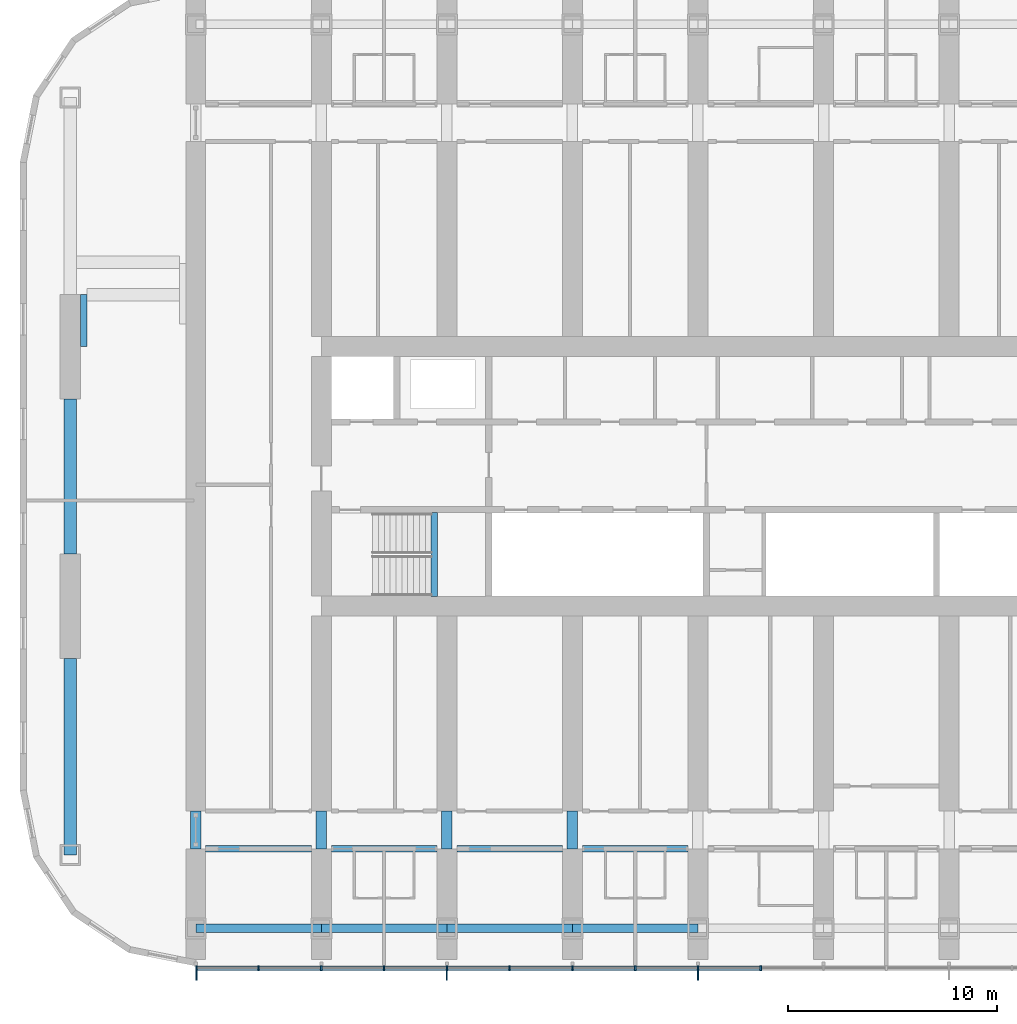
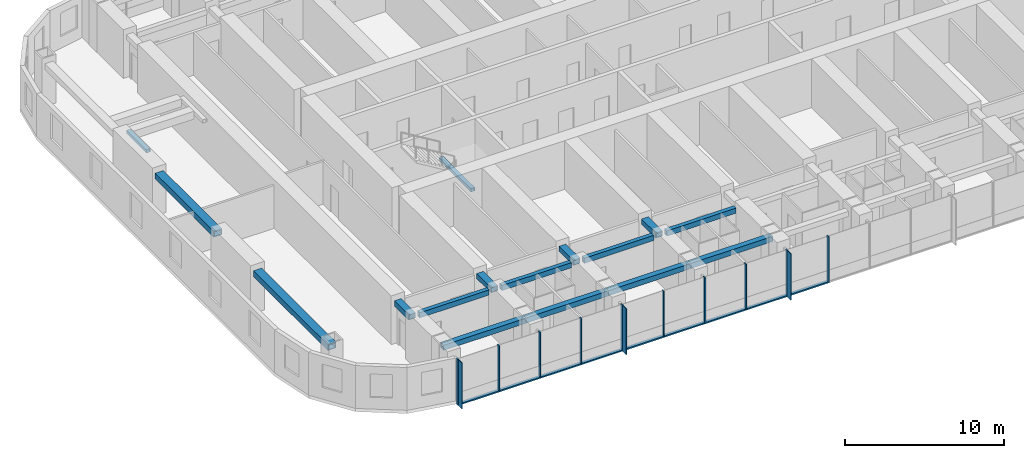
# One storey, part 2 of 21: 22 members, 16 beams, 1 element without a shape of its own.
"""IFC4 building model written with IfcOpenShell, lengths in metres."""

import ifcopenshell
import ifcopenshell.guid

model = None  # the IFC model being written
_history = None  # IfcOwnerHistory: only IFC2X3 demands one
_inside = {}  # id of a spatial element -> (the spatial element, [elements in it])
_under = {}  # id of a project, library or spatial element -> (it, [spatial elements below it])
_declared = {}  # id of a project -> (the project, [libraries it declares])
_typed = {}  # id of a type object -> (the type object, [elements of that type])
_made_of = {}  # id of a material, layer set ... -> (it, [elements and type objects made of it])


def new_model(schema):
    """Start an empty IFC model of exactly this schema.

    Asked for "IFC4X3", IfcOpenShell would pick the latest addendum, in which some entities
    have other attributes; the version numbers below select the first issue.
    IFC2X3 requires an IfcOwnerHistory on every rooted entity: one is made here for all.
    """
    global model, _history
    if schema == "IFC4X3":
        model = ifcopenshell.file(schema_version=(4, 3, 0, 0))
    else:
        model = ifcopenshell.file(schema=schema)
    _inside.clear()
    _under.clear()
    _declared.clear()
    _typed.clear()
    _made_of.clear()
    _history = None
    if model.schema == "IFC2X3":
        org = make("IfcOrganization", Name="unknown")
        user = make(
            "IfcPersonAndOrganization",
            ThePerson=make("IfcPerson", FamilyName="unknown"),
            TheOrganization=org,
        )
        app = make(
            "IfcApplication",
            ApplicationDeveloper=org,
            Version="unknown",
            ApplicationFullName="unknown",
            ApplicationIdentifier="unknown",
        )
        _history = make(
            "IfcOwnerHistory",
            OwningUser=user,
            OwningApplication=app,
            ChangeAction="ADDED",
            CreationDate=0,
        )
    return model


def make(cls, **values):
    """One entity of the class cls with the attributes given. An attribute that is None is left unset."""
    return model.create_entity(
        cls, **{name: value for name, value in values.items() if value is not None}
    )


def rooted(cls, **values):
    """An entity with a GlobalId (a new one), such as an element, a storey or a relation."""
    return make(cls, GlobalId=ifcopenshell.guid.new(), OwnerHistory=_history, **values)


def si_unit(unit_type, name, prefix=None):
    """IfcSIUnit, for example si_unit("LENGTHUNIT", "METRE", prefix="MILLI")."""
    return make("IfcSIUnit", UnitType=unit_type, Prefix=prefix, Name=name)


def assignment(units):
    """IfcUnitAssignment: the units of a project."""
    return None if units is None else make("IfcUnitAssignment", Units=units)


def point(xyz):
    """IfcCartesianPoint."""
    return None if xyz is None else make("IfcCartesianPoint", Coordinates=xyz)


def direction(xyz):
    """IfcDirection."""
    return None if xyz is None else make("IfcDirection", DirectionRatios=xyz)


def frame(location, z_axis=None, x_axis=None):
    """IfcAxis2Placement3D, a coordinate frame: its origin and axes. An axis left out is left unset."""
    return make(
        "IfcAxis2Placement3D",
        Location=point(location),
        Axis=direction(z_axis),
        RefDirection=direction(x_axis),
    )


def frame_2d(location, x_axis=None):
    """IfcAxis2Placement2D, a coordinate frame in the plane: its origin and x axis."""
    return make(
        "IfcAxis2Placement2D", Location=point(location), RefDirection=direction(x_axis)
    )


def origin():
    """The frame at (0, 0, 0) with its axes left unset."""
    return frame((0.0, 0.0, 0.0))


def origin_2d():
    """The frame at (0, 0) in the plane with its x axis left unset."""
    return frame_2d((0.0, 0.0))


def place(relative_to, where):
    """IfcLocalPlacement: puts the frame where relative to a parent placement (None: the world)."""
    return make(
        "IfcLocalPlacement", PlacementRelTo=relative_to, RelativePlacement=where
    )


def context(
    kind, dimensions, precision=None, world=None, true_north=None, identifier=None
):
    """IfcGeometricRepresentationContext, for example the 3D "Model" context."""
    return make(
        "IfcGeometricRepresentationContext",
        ContextIdentifier=identifier,
        ContextType=kind,
        CoordinateSpaceDimension=dimensions,
        Precision=precision,
        WorldCoordinateSystem=world,
        TrueNorth=true_north,
    )


def subcontext(parent, identifier, kind, view, scale=None):
    """IfcGeometricRepresentationSubContext, for example "Body" below "Model"."""
    return make(
        "IfcGeometricRepresentationSubContext",
        ContextIdentifier=identifier,
        ContextType=kind,
        ParentContext=parent,
        TargetScale=scale,
        TargetView=view,
    )


def project(units=None, contexts=None):
    """IfcProject with its units and contexts."""
    return rooted(
        "IfcProject",
        Name="project",
        RepresentationContexts=contexts,
        UnitsInContext=assignment(units),
    )


def spatial(cls, under=None, at=None, **own):
    """A site, building, storey or space (cls), placed at a placement, below another one or the project."""
    s = rooted(cls, ObjectPlacement=at, **own)
    if under is not None:
        _under.setdefault(under.id(), (under, []))[1].append(s)
    return s


def profile(cls, at=None, kind="AREA", **sizes):
    """A parametric profile (cls). Its sizes go by their IFC names, for example OverallWidth=200.0."""
    return make(cls, ProfileType=kind, Position=at, **sizes)


def rectangle(**sizes):
    """IfcRectangleProfileDef."""
    return profile("IfcRectangleProfileDef", **sizes)


def hollow_rectangle(**sizes):
    """IfcRectangleHollowProfileDef."""
    return profile("IfcRectangleHollowProfileDef", **sizes)


def extrude(swept, where, along, depth):
    """IfcExtrudedAreaSolid: the profile swept, set in the frame where, extruded along a direction by depth."""
    return make(
        "IfcExtrudedAreaSolid",
        SweptArea=swept,
        Position=where,
        ExtrudedDirection=direction(along),
        Depth=depth,
    )


def shape(context_of_items, identifier, shape_type, items):
    """IfcShapeRepresentation: the items that make up one representation, for example the "Body"."""
    return make(
        "IfcShapeRepresentation",
        ContextOfItems=context_of_items,
        RepresentationIdentifier=identifier,
        RepresentationType=shape_type,
        Items=items,
    )


def material(Name=None, Category=None):
    """IfcMaterial."""
    return make("IfcMaterial", Name=Name, Category=Category)


def material_profile(
    of_material, cross_section, Name=None, Category=None, Priority=None
):
    """IfcMaterialProfile: a cross section and its material."""
    return make(
        "IfcMaterialProfile",
        Name=Name,
        Material=of_material,
        Profile=cross_section,
        Priority=Priority,
        Category=Category,
    )


def profile_set(profiles, Name=None, composite=None):
    """IfcMaterialProfileSet."""
    return make(
        "IfcMaterialProfileSet",
        Name=Name,
        MaterialProfiles=profiles,
        CompositeProfile=composite,
    )


def made_of(thing, what):
    """Note that an element or type object is made of a material, layer set ...; save() writes the relation."""
    if what is not None:
        _made_of.setdefault(what.id(), (what, []))[1].append(thing)
    return thing


def type_object(cls, material=None, **own):
    """A type object (cls), such as IfcWallType, which elements share."""
    return made_of(rooted(cls, **own), material)


def element(
    cls,
    number,
    at=None,
    inside=None,
    cuts=None,
    type_object=None,
    material=None,
    context=None,
    identifier="Body",
    shape_type=None,
    held_by="IfcProductDefinitionShape",
    body=None,
    shapes=None,
    **own,
):
    """One element of the class cls, such as IfcWall. Its Tag is "e" and its number.

    at: its placement. inside: the storey or other place that contains it. cuts: it is an
    opening in that element (IfcRelVoidsElement). A single representation is given by context,
    identifier, shape_type and body (its items); several are given by shapes. held_by: the class
    of the entity that holds the representations. save() writes the other relations.
    """
    e = rooted(cls, Tag="e%d" % number, ObjectPlacement=at, **own)
    if body is not None:
        shapes = [shape(context, identifier, shape_type, body)]
    if shapes is not None:
        e.Representation = make(held_by, Representations=shapes)
    if inside is not None:
        _inside.setdefault(inside.id(), (inside, []))[1].append(e)
    if cuts is not None:
        rooted(
            "IfcRelVoidsElement", RelatingBuildingElement=cuts, RelatedOpeningElement=e
        )
    if type_object is not None:
        _typed.setdefault(type_object.id(), (type_object, []))[1].append(e)
    return made_of(e, material)


def aggregate(whole, parts):
    """IfcRelAggregates: a whole, such as a stair, and the parts it consists of."""
    return rooted("IfcRelAggregates", RelatingObject=whole, RelatedObjects=parts)


def save(model, path):
    """Write the relations noted so far, then the file.

    IfcRelAggregates (storeys below a building ...), IfcRelContainedInSpatialStructure (elements
    in a storey), IfcRelDefinesByType, IfcRelAssociatesMaterial and IfcRelDeclares: one each for
    every whole, place, type object, material and project.
    """
    for whole, parts in _under.values():
        aggregate(whole, parts)
    for where, things in _inside.values():
        rooted(
            "IfcRelContainedInSpatialStructure",
            RelatedElements=things,
            RelatingStructure=where,
        )
    for kind, things in _typed.values():
        rooted("IfcRelDefinesByType", RelatedObjects=things, RelatingType=kind)
    for what, things in _made_of.values():
        rooted("IfcRelAssociatesMaterial", RelatedObjects=things, RelatingMaterial=what)
    for by, libraries in _declared.values():
        rooted("IfcRelDeclares", RelatingContext=by, RelatedDefinitions=libraries)
    model.write(path)


model = new_model("IFC4")

# Units and contexts
model_context = context("Model", 3, precision=1e-05, world=origin(), true_north=direction((0.0, 1.0)))
body_context = subcontext(model_context, "Body", "Model", "MODEL_VIEW")
ifc_project = project(units=[si_unit("LENGTHUNIT", "METRE"), si_unit("AREAUNIT", "SQUARE_METRE"), si_unit("VOLUMEUNIT", "CUBIC_METRE"), si_unit("PLANEANGLEUNIT", "RADIAN"), si_unit("MASSUNIT", "GRAM", prefix="KILO")], contexts=[model_context])

# Site, building, storey
site_placement = place(None, origin())
site = spatial("IfcSite", under=ifc_project, at=site_placement, CompositionType="ELEMENT")
building_placement = place(site_placement, origin())
building = spatial("IfcBuilding", under=site, at=building_placement, Name="Orbita Commons", CompositionType="ELEMENT")
storey_placement = place(building_placement, frame((0.0, 0.0, 95.64990234375)))
storey = spatial("IfcBuildingStorey", under=building, at=storey_placement, Name="L23", CompositionType="ELEMENT", Elevation=95.64990234375)

# Curtain wall, members
ifc_material_1 = material(Name="Anodised aluminium frame, pale silver", Category="aluminium")
curtain_wall_type = type_object("IfcCurtainWallType", Name="Unitised curtain wall CW-T, vision and spandrel", PredefinedType="NOTDEFINED", material=ifc_material_1)
curtain_wall_placement = place(storey_placement, origin())
curtain_wall = element("IfcCurtainWall", 1, at=curtain_wall_placement, inside=storey, type_object=curtain_wall_type, Name="Curtain wall south L23", PredefinedType="NOTDEFINED")
ifc_material_2 = material(Name="Anodised aluminium, pale silver", Category="aluminium")
ifc_material_profile_1 = material_profile(ifc_material_2, rectangle(XDim=0.080078125, YDim=0.219970703125, at=origin_2d()), Name="AL 80x220")
ifc_profile_set_1 = profile_set([ifc_material_profile_1], Name="Anodised aluminium, pale silver")
member_type_1 = type_object("IfcMemberType", Name="Curtain wall mullion 80x220", PredefinedType="MULLION", material=ifc_profile_set_1)
member_1_placement = place(storey_placement, frame((12.0400390625, 8.489990234375, -0.25), z_axis=(0.0, 0.0, 1.0), x_axis=(1.0, 0.0, 0.0)))
member_1 = element("IfcMember", 2, at=member_1_placement, type_object=member_type_1, Name="Mullion 1 CW-L23-S", PredefinedType="MULLION", context=body_context, shape_type="SweptSolid", body=[
    extrude(rectangle(XDim=0.080078125, YDim=0.219970703125, at=origin_2d()), origin(), (0.0, 0.0, 1.0), 3.550048828125),
])
member_2_placement = place(storey_placement, frame((15.0, 8.489990234375, -0.25), z_axis=(0.0, 0.0, 1.0), x_axis=(1.0, 0.0, 0.0)))
member_2 = element("IfcMember", 3, at=member_2_placement, type_object=member_type_1, Name="Mullion 2 CW-L23-S", PredefinedType="MULLION", context=body_context, shape_type="SweptSolid", body=[
    extrude(rectangle(XDim=0.080078125, YDim=0.219970703125, at=origin_2d()), origin(), (0.0, 0.0, 1.0), 3.550048828125),
])
member_3_placement = place(storey_placement, frame((18.0, 8.489990234375, -0.25), z_axis=(0.0, 0.0, 1.0), x_axis=(1.0, 0.0, 0.0)))
member_3 = element("IfcMember", 4, at=member_3_placement, type_object=member_type_1, Name="Mullion 3 CW-L23-S", PredefinedType="MULLION", context=body_context, shape_type="SweptSolid", body=[
    extrude(rectangle(XDim=0.080078125, YDim=0.219970703125, at=origin_2d()), origin(), (0.0, 0.0, 1.0), 3.550048828125),
])
member_4_placement = place(storey_placement, frame((21.0, 8.489990234375, -0.25), z_axis=(0.0, 0.0, 1.0), x_axis=(1.0, 0.0, 0.0)))
member_4 = element("IfcMember", 5, at=member_4_placement, type_object=member_type_1, Name="Mullion 4 CW-L23-S", PredefinedType="MULLION", context=body_context, shape_type="SweptSolid", body=[
    extrude(rectangle(XDim=0.080078125, YDim=0.219970703125, at=origin_2d()), origin(), (0.0, 0.0, 1.0), 3.550048828125),
])
member_5_placement = place(storey_placement, frame((24.0, 8.489990234375, -0.25), z_axis=(0.0, 0.0, 1.0), x_axis=(1.0, 0.0, 0.0)))
member_5 = element("IfcMember", 6, at=member_5_placement, type_object=member_type_1, Name="Mullion 5 CW-L23-S", PredefinedType="MULLION", context=body_context, shape_type="SweptSolid", body=[
    extrude(rectangle(XDim=0.080078125, YDim=0.219970703125, at=origin_2d()), origin(), (0.0, 0.0, 1.0), 3.550048828125),
])
member_6_placement = place(storey_placement, frame((27.0, 8.489990234375, -0.25), z_axis=(0.0, 0.0, 1.0), x_axis=(1.0, 0.0, 0.0)))
member_6 = element("IfcMember", 7, at=member_6_placement, type_object=member_type_1, Name="Mullion 6 CW-L23-S", PredefinedType="MULLION", context=body_context, shape_type="SweptSolid", body=[
    extrude(rectangle(XDim=0.080078125, YDim=0.219970703125, at=origin_2d()), origin(), (0.0, 0.0, 1.0), 3.550048828125),
])
member_7_placement = place(storey_placement, frame((30.0, 8.489990234375, -0.25), z_axis=(0.0, 0.0, 1.0), x_axis=(1.0, 0.0, 0.0)))
member_7 = element("IfcMember", 8, at=member_7_placement, type_object=member_type_1, Name="Mullion 7 CW-L23-S", PredefinedType="MULLION", context=body_context, shape_type="SweptSolid", body=[
    extrude(rectangle(XDim=0.080078125, YDim=0.219970703125, at=origin_2d()), origin(), (0.0, 0.0, 1.0), 3.550048828125),
])
member_8_placement = place(storey_placement, frame((33.0, 8.489990234375, -0.25), z_axis=(0.0, 0.0, 1.0), x_axis=(1.0, 0.0, 0.0)))
member_8 = element("IfcMember", 9, at=member_8_placement, type_object=member_type_1, Name="Mullion 8 CW-L23-S", PredefinedType="MULLION", context=body_context, shape_type="SweptSolid", body=[
    extrude(rectangle(XDim=0.080078125, YDim=0.219970703125, at=origin_2d()), origin(), (0.0, 0.0, 1.0), 3.550048828125),
])
member_9_placement = place(storey_placement, frame((36.0, 8.489990234375, -0.25), z_axis=(0.0, 0.0, 1.0), x_axis=(1.0, 0.0, 0.0)))
member_9 = element("IfcMember", 10, at=member_9_placement, type_object=member_type_1, Name="Mullion 9 CW-L23-S", PredefinedType="MULLION", context=body_context, shape_type="SweptSolid", body=[
    extrude(rectangle(XDim=0.080078125, YDim=0.219970703125, at=origin_2d()), origin(), (0.0, 0.0, 1.0), 3.550048828125),
])
member_10_placement = place(storey_placement, frame((39.0, 8.489990234375, -0.25), z_axis=(0.0, 0.0, 1.0), x_axis=(1.0, 0.0, 0.0)))
member_10 = element("IfcMember", 11, at=member_10_placement, type_object=member_type_1, Name="Mullion 10 CW-L23-S", PredefinedType="MULLION", context=body_context, shape_type="SweptSolid", body=[
    extrude(rectangle(XDim=0.080078125, YDim=0.219970703125, at=origin_2d()), origin(), (0.0, 0.0, 1.0), 3.550048828125),
])
ifc_material_3 = material(Name="Anodised aluminium, pale silver", Category="aluminium")
ifc_material_profile_2 = material_profile(ifc_material_3, rectangle(XDim=0.219970703125, YDim=0.10009765625, at=origin_2d()), Name="AL 220x100")
ifc_profile_set_2 = profile_set([ifc_material_profile_2], Name="Anodised aluminium, pale silver")
member_type_2 = type_object("IfcMemberType", Name="Curtain wall stack transom 220x100", PredefinedType="USERDEFINED", material=ifc_profile_set_2)
member_11_placement = place(storey_placement, frame((12.080078125, 8.489990234375, -0.199951171875), z_axis=(1.0, 0.0, 0.0), x_axis=(0.0, 1.0, 0.0)))
member_11 = element("IfcMember", 12, at=member_11_placement, type_object=member_type_2, Name="Transom 1.1 CW-L23-S", ObjectType="TRANSOM", PredefinedType="USERDEFINED", context=body_context, shape_type="SweptSolid", body=[
    extrude(rectangle(XDim=0.219970703125, YDim=0.10009765625, at=origin_2d()), origin(), (0.0, 0.0, 1.0), 2.8798828125),
])
member_12_placement = place(storey_placement, frame((15.0400390625, 8.489990234375, -0.199951171875), z_axis=(1.0, 0.0, 0.0), x_axis=(0.0, 1.0, 0.0)))
member_12 = element("IfcMember", 13, at=member_12_placement, type_object=member_type_2, Name="Transom 2.1 CW-L23-S", ObjectType="TRANSOM", PredefinedType="USERDEFINED", context=body_context, shape_type="SweptSolid", body=[
    extrude(rectangle(XDim=0.219970703125, YDim=0.10009765625, at=origin_2d()), origin(), (0.0, 0.0, 1.0), 2.919921875),
])
member_13_placement = place(storey_placement, frame((18.0400390625, 8.489990234375, -0.199951171875), z_axis=(1.0, 0.0, 0.0), x_axis=(0.0, 1.0, 0.0)))
member_13 = element("IfcMember", 14, at=member_13_placement, type_object=member_type_2, Name="Transom 3.1 CW-L23-S", ObjectType="TRANSOM", PredefinedType="USERDEFINED", context=body_context, shape_type="SweptSolid", body=[
    extrude(rectangle(XDim=0.219970703125, YDim=0.10009765625, at=origin_2d()), origin(), (0.0, 0.0, 1.0), 2.919921875),
])
member_14_placement = place(storey_placement, frame((21.0400390625, 8.489990234375, -0.199951171875), z_axis=(1.0, 0.0, 0.0), x_axis=(0.0, 1.0, 0.0)))
member_14 = element("IfcMember", 15, at=member_14_placement, type_object=member_type_2, Name="Transom 4.1 CW-L23-S", ObjectType="TRANSOM", PredefinedType="USERDEFINED", context=body_context, shape_type="SweptSolid", body=[
    extrude(rectangle(XDim=0.219970703125, YDim=0.10009765625, at=origin_2d()), origin(), (0.0, 0.0, 1.0), 2.919921875),
])
member_15_placement = place(storey_placement, frame((24.0400390625, 8.489990234375, -0.199951171875), z_axis=(1.0, 0.0, 0.0), x_axis=(0.0, 1.0, 0.0)))
member_15 = element("IfcMember", 16, at=member_15_placement, type_object=member_type_2, Name="Transom 5.1 CW-L23-S", ObjectType="TRANSOM", PredefinedType="USERDEFINED", context=body_context, shape_type="SweptSolid", body=[
    extrude(rectangle(XDim=0.219970703125, YDim=0.10009765625, at=origin_2d()), origin(), (0.0, 0.0, 1.0), 2.919921875),
])
member_16_placement = place(storey_placement, frame((27.0400390625, 8.489990234375, -0.199951171875), z_axis=(1.0, 0.0, 0.0), x_axis=(0.0, 1.0, 0.0)))
member_16 = element("IfcMember", 17, at=member_16_placement, type_object=member_type_2, Name="Transom 6.1 CW-L23-S", ObjectType="TRANSOM", PredefinedType="USERDEFINED", context=body_context, shape_type="SweptSolid", body=[
    extrude(rectangle(XDim=0.219970703125, YDim=0.10009765625, at=origin_2d()), origin(), (0.0, 0.0, 1.0), 2.919921875),
])
member_17_placement = place(storey_placement, frame((30.0400390625, 8.489990234375, -0.199951171875), z_axis=(1.0, 0.0, 0.0), x_axis=(0.0, 1.0, 0.0)))
member_17 = element("IfcMember", 18, at=member_17_placement, type_object=member_type_2, Name="Transom 7.1 CW-L23-S", ObjectType="TRANSOM", PredefinedType="USERDEFINED", context=body_context, shape_type="SweptSolid", body=[
    extrude(rectangle(XDim=0.219970703125, YDim=0.10009765625, at=origin_2d()), origin(), (0.0, 0.0, 1.0), 2.919921875),
])
member_18_placement = place(storey_placement, frame((33.0400390625, 8.489990234375, -0.199951171875), z_axis=(1.0, 0.0, 0.0), x_axis=(0.0, 1.0, 0.0)))
member_18 = element("IfcMember", 19, at=member_18_placement, type_object=member_type_2, Name="Transom 8.1 CW-L23-S", ObjectType="TRANSOM", PredefinedType="USERDEFINED", context=body_context, shape_type="SweptSolid", body=[
    extrude(rectangle(XDim=0.219970703125, YDim=0.10009765625, at=origin_2d()), origin(), (0.0, 0.0, 1.0), 2.919921875),
])
member_19_placement = place(storey_placement, frame((36.0400390625, 8.489990234375, -0.199951171875), z_axis=(1.0, 0.0, 0.0), x_axis=(0.0, 1.0, 0.0)))
member_19 = element("IfcMember", 20, at=member_19_placement, type_object=member_type_2, Name="Transom 9.1 CW-L23-S", ObjectType="TRANSOM", PredefinedType="USERDEFINED", context=body_context, shape_type="SweptSolid", body=[
    extrude(rectangle(XDim=0.219970703125, YDim=0.10009765625, at=origin_2d()), origin(), (0.0, 0.0, 1.0), 2.919921875),
])

# Beams
ifc_material_4 = material(Name="Steel ASTM A572 Gr 50 welded plate", Category="steel")
ifc_material_profile_3 = material_profile(ifc_material_4, hollow_rectangle(XDim=0.300048828125, YDim=0.25, WallThickness=0.02490234375, at=origin_2d()), Name="BOX 250x300x25")
ifc_profile_set_3 = profile_set([ifc_material_profile_3], Name="Steel ASTM A572 Gr 50 welded plate")
beam_type_1 = type_object("IfcBeamType", Name="Stair landing beam steel BOX 250x300x25", PredefinedType="BEAM", material=ifc_profile_set_3)
beam_1_placement = place(storey_placement, frame((23.39990234375, 26.260009765625, 1.550048828125), z_axis=(0.0, 1.0, 0.0), x_axis=(-1.0, 0.0, 0.0)))
element("IfcBeam", 21, at=beam_1_placement, inside=storey, type_object=beam_type_1, Name="Stair S1 landing beam L23 1", PredefinedType="BEAM", context=body_context, shape_type="SweptSolid", body=[
    extrude(hollow_rectangle(XDim=0.300048828125, YDim=0.25, WallThickness=0.02490234375, at=origin_2d()), origin(), (0.0, 0.0, 1.0), 4.0048828125),
])
ifc_material_5 = material(Name="Steel ASTM A572 Gr 50 welded plate", Category="steel")
ifc_material_profile_4 = material_profile(ifc_material_5, hollow_rectangle(XDim=0.300048828125, YDim=0.39990234375, WallThickness=0.0400390625, at=origin_2d()), Name="BOX 400x300x40")
ifc_profile_set_4 = profile_set([ifc_material_profile_4], Name="Steel ASTM A572 Gr 50 welded plate")
beam_type_2 = type_object("IfcBeamType", Name="Steel corridor link BOX 400x300x40", PredefinedType="BEAM", material=ifc_profile_set_4)
for number, where, z_axis, x_axis, name in (
    (22, (12.47509765625, 14.199951171875, 3.10009765625), (1.0, 0.0, 0.0), (0.0, 1.0, 0.0), "Corridor beam SA 3-4 L23"),
    (23, (18.47509765625, 14.199951171875, 3.10009765625), (1.0, 0.0, 0.0), (0.0, 1.0, 0.0), "Corridor beam SA 4-5 L23"),
    (24, (24.47509765625, 14.199951171875, 3.10009765625), (1.0, 0.0, 0.0), (0.0, 1.0, 0.0), "Corridor beam SA 5-6 L23"),
    (25, (30.47509765625, 14.199951171875, 3.10009765625), (1.0, 0.0, 0.0), (0.0, 1.0, 0.0), "Corridor beam SA 6-7 L23"),
):
    element("IfcBeam", number, at=place(storey_placement, frame(where, z_axis=z_axis, x_axis=x_axis)), inside=storey, type_object=beam_type_2, Name=name, PredefinedType="BEAM", context=body_context, shape_type="SweptSolid", body=[
        extrude(hollow_rectangle(XDim=0.300048828125, YDim=0.39990234375, WallThickness=0.0400390625, at=origin_2d()), origin(), (0.0, 0.0, 1.0), 5.0498046875),
    ])
ifc_material_6 = material(Name="Steel ASTM A572 Gr 50 welded plate", Category="steel")
ifc_material_profile_5 = material_profile(ifc_material_6, hollow_rectangle(XDim=0.5, YDim=0.39990234375, WallThickness=0.050048828125, at=origin_2d()), Name="BOX 400x500x50")
ifc_profile_set_5 = profile_set([ifc_material_profile_5], Name="Steel ASTM A572 Gr 50 welded plate")
beam_type_3 = type_object("IfcBeamType", Name="Steel coupling link BOX 400x500x50", PredefinedType="LINTEL", material=ifc_profile_set_5)
for number, where, z_axis, x_axis, name in (
    (26, (12.0, 14.199951171875, 3.10009765625), (0.0, 1.0, 0.0), (-1.0, 0.0, 0.0), "Coupling beam 3 south L23"),
    (27, (18.0, 14.199951171875, 3.10009765625), (0.0, 1.0, 0.0), (-1.0, 0.0, 0.0), "Coupling beam 4 south L23"),
    (28, (24.0, 14.199951171875, 3.10009765625), (0.0, 1.0, 0.0), (-1.0, 0.0, 0.0), "Coupling beam 5 south L23"),
    (29, (30.0, 14.199951171875, 3.10009765625), (0.0, 1.0, 0.0), (-1.0, 0.0, 0.0), "Coupling beam 6 south L23"),
):
    element("IfcBeam", number, at=place(storey_placement, frame(where, z_axis=z_axis, x_axis=x_axis)), inside=storey, type_object=beam_type_3, Name=name, PredefinedType="LINTEL", context=body_context, shape_type="SweptSolid", body=[
        extrude(hollow_rectangle(XDim=0.5, YDim=0.39990234375, WallThickness=0.050048828125, at=origin_2d()), origin(), (0.0, 0.0, 1.0), 1.800048828125),
    ])
ifc_material_7 = material(Name="Steel ASTM A572 Gr 50 welded plate", Category="steel")
ifc_material_profile_6 = material_profile(ifc_material_7, hollow_rectangle(XDim=0.60009765625, YDim=0.449951171875, WallThickness=0.06005859375, at=origin_2d()), Name="BOX 450x600x60")
ifc_profile_set_6 = profile_set([ifc_material_profile_6], Name="Steel ASTM A572 Gr 50 welded plate")
beam_type_4 = type_object("IfcBeamType", Name="Steel end frame link BOX 450x600x60", PredefinedType="BEAM", material=ifc_profile_set_6)
beam_2_placement = place(storey_placement, frame((6.0, 13.89990234375, 3.0751953125), z_axis=(0.0, 1.0, 0.0), x_axis=(-1.0, 0.0, 0.0)))
element("IfcBeam", 30, at=beam_2_placement, inside=storey, type_object=beam_type_4, Name="End frame beam 2 B-C L23", PredefinedType="BEAM", context=body_context, shape_type="SweptSolid", body=[
    extrude(hollow_rectangle(XDim=0.60009765625, YDim=0.449951171875, WallThickness=0.06005859375, at=origin_2d()), origin(), (0.0, 0.0, 1.0), 9.400146484375),
])
beam_3_placement = place(storey_placement, frame((6.0, 28.300048828125, 3.0751953125), z_axis=(0.0, 1.0, 0.0), x_axis=(-1.0, 0.0, 0.0)))
element("IfcBeam", 31, at=beam_3_placement, inside=storey, type_object=beam_type_4, Name="End frame beam 2 C-D L23", PredefinedType="BEAM", context=body_context, shape_type="SweptSolid", body=[
    extrude(hollow_rectangle(XDim=0.60009765625, YDim=0.449951171875, WallThickness=0.06005859375, at=origin_2d()), origin(), (0.0, 0.0, 1.0), 7.39990234375),
])
ifc_material_8 = material(Name="Steel ASTM A572 Gr 50 welded plate", Category="steel")
ifc_material_profile_7 = material_profile(ifc_material_8, hollow_rectangle(XDim=0.39990234375, YDim=0.39990234375, WallThickness=0.0400390625, at=origin_2d()), Name="BOX 400x400x40")
ifc_profile_set_7 = profile_set([ifc_material_profile_7], Name="Steel ASTM A572 Gr 50 welded plate")
beam_type_5 = type_object("IfcBeamType", Name="Steel spandrel BOX 400x400x40", PredefinedType="SPANDREL", material=ifc_profile_set_7)
for number, where, z_axis, x_axis, name in (
    (32, (12.0, 10.39990234375, 3.10009765625), (1.0, 0.0, 0.0), (0.0, 1.0, 0.0), "Spandrel beam B 3-4 L23"),
    (33, (18.0, 10.39990234375, 3.10009765625), (1.0, 0.0, 0.0), (0.0, 1.0, 0.0), "Spandrel beam B 4-5 L23"),
    (34, (24.0, 10.39990234375, 3.10009765625), (1.0, 0.0, 0.0), (0.0, 1.0, 0.0), "Spandrel beam B 5-6 L23"),
    (35, (30.0, 10.39990234375, 3.10009765625), (1.0, 0.0, 0.0), (0.0, 1.0, 0.0), "Spandrel beam B 6-7 L23"),
):
    element("IfcBeam", number, at=place(storey_placement, frame(where, z_axis=z_axis, x_axis=x_axis)), inside=storey, type_object=beam_type_5, Name=name, PredefinedType="SPANDREL", context=body_context, shape_type="SweptSolid", body=[
        extrude(hollow_rectangle(XDim=0.39990234375, YDim=0.39990234375, WallThickness=0.0400390625, at=origin_2d()), origin(), (0.0, 0.0, 1.0), 6.0),
    ])
ifc_material_9 = material(Name="Steel ASTM A572 Gr 50 welded plate", Category="steel")
ifc_material_profile_8 = material_profile(ifc_material_9, hollow_rectangle(XDim=0.300048828125, YDim=0.25, WallThickness=0.02490234375, at=origin_2d()), Name="BOX 250x300x25")
ifc_profile_set_8 = profile_set([ifc_material_profile_8], Name="Steel ASTM A572 Gr 50 welded plate")
beam_type_6 = type_object("IfcBeamType", Name="Trimmer ledger beam BOX 250x300x25", PredefinedType="BEAM", material=ifc_profile_set_8)
beam_4_placement = place(storey_placement, frame((6.64990234375, 38.199951171875, 3.175048828125), z_axis=(0.0, 1.0, 0.0), x_axis=(-1.0, 0.0, 0.0)))
element("IfcBeam", 36, at=beam_4_placement, inside=storey, type_object=beam_type_6, Name="Neighbourhood stair L24 to L25 trimmer ledger 1W", PredefinedType="BEAM", context=body_context, shape_type="SweptSolid", body=[
    extrude(hollow_rectangle(XDim=0.300048828125, YDim=0.25, WallThickness=0.02490234375, at=origin_2d()), origin(), (0.0, 0.0, 1.0), 2.5),
])

# Member
ifc_material_10 = material(Name="Anodised aluminium, pale silver", Category="aluminium")
ifc_material_profile_9 = material_profile(ifc_material_10, rectangle(XDim=0.06005859375, YDim=0.449951171875, at=origin_2d()), Name="FIN 60x450")
ifc_profile_set_9 = profile_set([ifc_material_profile_9], Name="Anodised aluminium, pale silver")
member_type_3 = type_object("IfcMemberType", Name="Vertical fin 60x450 pale aluminium", PredefinedType="USERDEFINED", material=ifc_profile_set_9)
member_20_placement = place(storey_placement, frame((12.0400390625, 8.155029296875, -0.25), z_axis=(0.0, 0.0, 1.0), x_axis=(1.0, 0.0, 0.0)))
member_20 = element("IfcMember", 37, at=member_20_placement, type_object=member_type_3, Name="Fin 1 CW-L23-S", ObjectType="FIN", PredefinedType="USERDEFINED", context=body_context, shape_type="SweptSolid", body=[
    extrude(rectangle(XDim=0.06005859375, YDim=0.449951171875, at=origin_2d()), origin(), (0.0, 0.0, 1.0), 3.550048828125),
])

member_21_placement = place(storey_placement, frame((24.0, 8.155029296875, -0.25), z_axis=(0.0, 0.0, 1.0), x_axis=(1.0, 0.0, 0.0)))
member_21 = element("IfcMember", 38, at=member_21_placement, type_object=member_type_3, Name="Fin 5 CW-L23-S", ObjectType="FIN", PredefinedType="USERDEFINED", context=body_context, shape_type="SweptSolid", body=[
    extrude(rectangle(XDim=0.06005859375, YDim=0.449951171875, at=origin_2d()), origin(), (0.0, 0.0, 1.0), 3.550048828125),
])

member_22_placement = place(storey_placement, frame((36.0, 8.155029296875, -0.25), z_axis=(0.0, 0.0, 1.0), x_axis=(1.0, 0.0, 0.0)))
member_22 = element("IfcMember", 39, at=member_22_placement, type_object=member_type_3, Name="Fin 9 CW-L23-S", ObjectType="FIN", PredefinedType="USERDEFINED", context=body_context, shape_type="SweptSolid", body=[
    extrude(rectangle(XDim=0.06005859375, YDim=0.449951171875, at=origin_2d()), origin(), (0.0, 0.0, 1.0), 3.550048828125),
])

aggregate(curtain_wall, [member_1, member_20, member_2, member_3, member_4, member_5, member_21, member_6, member_7, member_8, member_9, member_22, member_10, member_11, member_12, member_13, member_14, member_15, member_16, member_17, member_18, member_19])

save(model, "model.ifc")
